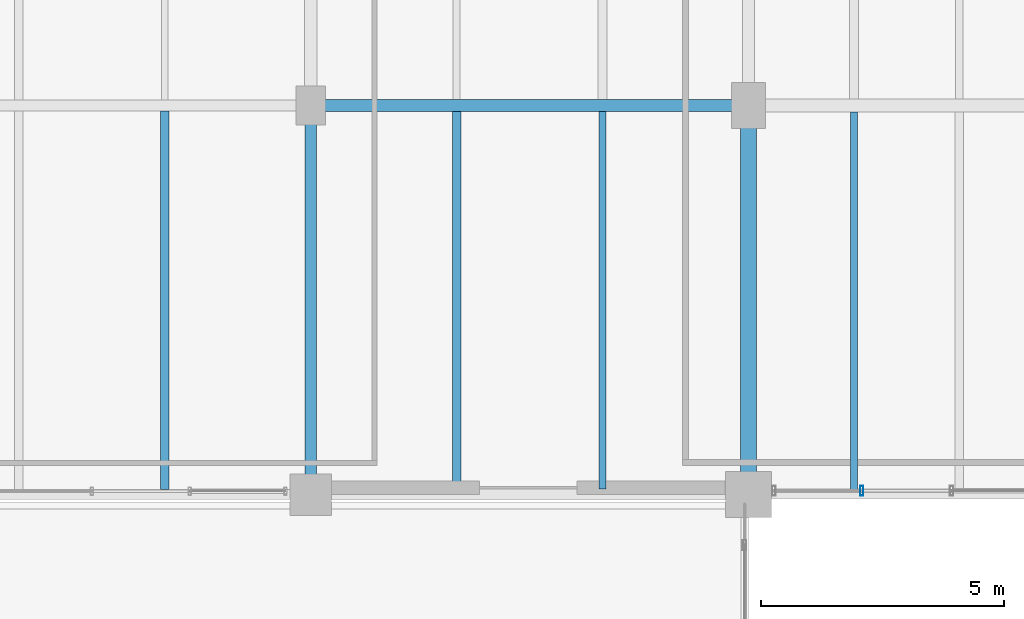
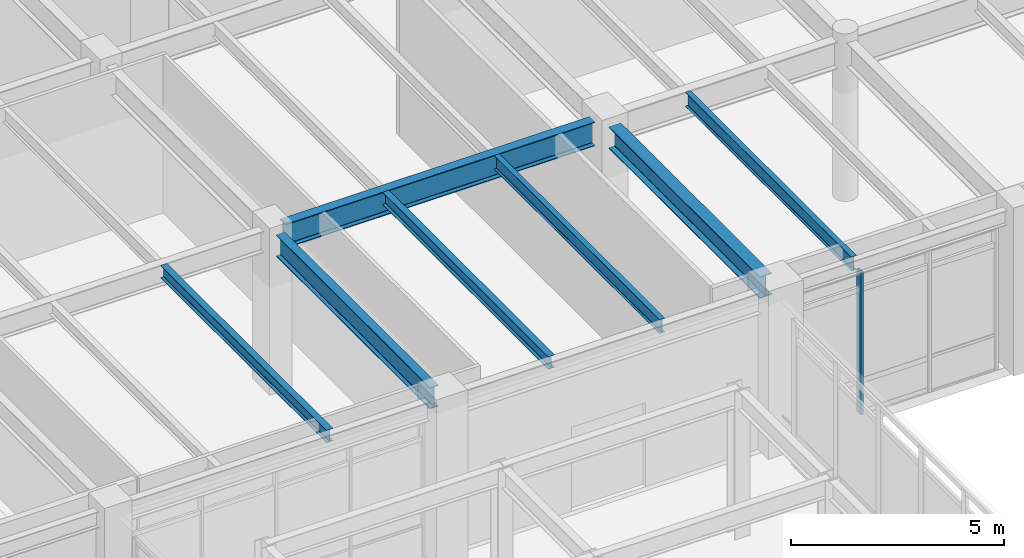
# One storey, part 91 of 200: 7 beams, 1 member, 1 element without a shape of its own.
"""IFC4 building model written with IfcOpenShell, lengths in metres."""

from ifc_helpers import new_model, si_unit, direction, frame, origin, origin_2d, place, context, subcontext, project, spatial, hollow_rectangle, i_section, extrude, material, material_profile, profile_set, type_object, element, aggregate, save


model = new_model("IFC4")

# Units and contexts
model_context = context("Model", 3, precision=1e-05, world=origin(), true_north=direction((0.0, 1.0)))
body_context = subcontext(model_context, "Body", "Model", "MODEL_VIEW")
ifc_project = project(units=[si_unit("LENGTHUNIT", "METRE"), si_unit("AREAUNIT", "SQUARE_METRE"), si_unit("VOLUMEUNIT", "CUBIC_METRE"), si_unit("PLANEANGLEUNIT", "RADIAN"), si_unit("MASSUNIT", "GRAM", prefix="KILO"), si_unit("THERMODYNAMICTEMPERATUREUNIT", "KELVIN"), si_unit("POWERUNIT", "WATT")], contexts=[model_context])

# Site, building, storey
site_placement = place(None, origin())
site = spatial("IfcSite", under=ifc_project, at=site_placement, CompositionType="ELEMENT")
building_placement = place(site_placement, origin())
building = spatial("IfcBuilding", under=site, at=building_placement, Name="Tepalcoro Natatorium and Aquatics Centre", CompositionType="ELEMENT")
storey_placement = place(building_placement, frame((0.0, 0.0, 5.39990234375)))
storey = spatial("IfcBuildingStorey", under=building, at=storey_placement, Name="L01", CompositionType="ELEMENT", Elevation=5.39990234375)

# Beams
ifc_material_1 = material(Name="Steel ASTM A992 Grade 50 (Fy 345 MPa)", Category="steel")
ifc_material_profile_1 = material_profile(ifc_material_1, i_section(OverallWidth=0.324951171875, OverallDepth=0.616943359375, WebThickness=0.013916015625, FlangeThickness=0.02197265625, FilletRadius=0.013916015625, at=origin_2d()), Name="W24X117")
ifc_profile_set_1 = profile_set([ifc_material_profile_1], Name="Steel ASTM A992 Grade 50 (Fy 345 MPa)")
beam_type_1 = type_object("IfcBeamType", Name="BM_W24x117", PredefinedType="BEAM", material=ifc_profile_set_1)
beam_1_placement = place(storey_placement, frame((125.0, 86.4599609375, 4.236572265625), z_axis=(0.0, 1.0, 0.0), x_axis=(-1.0, 0.0, 0.0)))
element("IfcBeam", 1, at=beam_1_placement, inside=storey, type_object=beam_type_1, Name="V5 L01 Grid Girder Y", PredefinedType="BEAM", context=body_context, shape_type="SweptSolid", body=[
    extrude(i_section(OverallWidth=0.324951171875, OverallDepth=0.616943359375, WebThickness=0.013916015625, FlangeThickness=0.02197265625, FilletRadius=0.013916015625, at=origin_2d()), origin(), (0.0, 0.0, 1.0), 7.080078125),
])
ifc_material_profile_2 = material_profile(ifc_material_1, i_section(OverallWidth=0.22998046875, OverallDepth=0.616943359375, WebThickness=0.012939453125, FlangeThickness=0.02197265625, FilletRadius=0.013916015625, at=origin_2d()), Name="W24X94")
ifc_profile_set_2 = profile_set([ifc_material_profile_2], Name="Steel ASTM A992 Grade 50 (Fy 345 MPa)")
beam_type_2 = type_object("IfcBeamType", Name="BM_W24x94", PredefinedType="BEAM", material=ifc_profile_set_2)
beam_2_placement = place(storey_placement, frame((116.0, 86.409912109375, 4.236572265625), z_axis=(0.0, 1.0, 0.0), x_axis=(-1.0, 0.0, 0.0)))
element("IfcBeam", 2, at=beam_2_placement, inside=storey, type_object=beam_type_2, Name="V5 L01 Grid Girder Y", PredefinedType="BEAM", context=body_context, shape_type="SweptSolid", body=[
    extrude(i_section(OverallWidth=0.22998046875, OverallDepth=0.616943359375, WebThickness=0.012939453125, FlangeThickness=0.02197265625, FilletRadius=0.013916015625, at=origin_2d()), origin(), (0.0, 0.0, 1.0), 7.205078125),
])
ifc_material_profile_3 = material_profile(ifc_material_1, i_section(OverallWidth=0.25390625, OverallDepth=0.68798828125, WebThickness=0.012939453125, FlangeThickness=0.02099609375, FilletRadius=0.013916015625, at=origin_2d()), Name="W27X102")
ifc_profile_set_3 = profile_set([ifc_material_profile_3], Name="Steel ASTM A992 Grade 50 (Fy 345 MPa)")
beam_type_3 = type_object("IfcBeamType", Name="BM_W27x102", PredefinedType="BEAM", material=ifc_profile_set_3)
beam_3_placement = place(storey_placement, frame((116.284912109375, 94.0, 4.201171875), z_axis=(1.0, 0.0, 0.0), x_axis=(0.0, 1.0, 0.0)))
element("IfcBeam", 3, at=beam_3_placement, inside=storey, type_object=beam_type_3, Name="V5 L01 Grid Girder X", PredefinedType="BEAM", context=body_context, shape_type="SweptSolid", body=[
    extrude(i_section(OverallWidth=0.25390625, OverallDepth=0.68798828125, WebThickness=0.012939453125, FlangeThickness=0.02099609375, FilletRadius=0.013916015625, at=origin_2d()), origin(), (0.0, 0.0, 1.0), 8.380126953125),
])

# Curtain wall, member
ifc_material_2 = material(Name="Bronze-Anodised Extruded Aluminium Alloy EN AW-6063 T6", Category="aluminium")
curtain_wall_type = type_object("IfcCurtainWallType", Name="CW_V5_LOWER", PredefinedType="USERDEFINED", material=ifc_material_2)
curtain_wall_placement = place(storey_placement, origin())
curtain_wall = element("IfcCurtainWall", 4, at=curtain_wall_placement, inside=storey, type_object=curtain_wall_type, Name="V5 L01 S Unitised Curtain Wall Bay 4", ObjectType="UNITISED STOREFRONT", PredefinedType="USERDEFINED")
ifc_material_profile_4 = material_profile(ifc_material_2, hollow_rectangle(XDim=0.070068359375, YDim=0.199951171875, WallThickness=0.0048828125, at=origin_2d()), Name="AL70X200X5")
ifc_profile_set_4 = profile_set([ifc_material_profile_4], Name="Bronze-Anodised Extruded Aluminium Alloy EN AW-6063 T6")
member_type = type_object("IfcMemberType", Name="CW_MUL_70x200", PredefinedType="MULLION", material=ifc_profile_set_4)
member_placement = place(storey_placement, frame((127.32666015625, 86.080078125, 0.02001953125), z_axis=(0.0, 0.0, 1.0), x_axis=(1.0, 0.0, 0.0)))
member = element("IfcMember", 5, at=member_placement, type_object=member_type, Name="CW_V5_LOWER Curtain Wall Mullion", PredefinedType="MULLION", context=body_context, shape_type="SweptSolid", body=[
    extrude(hollow_rectangle(XDim=0.070068359375, YDim=0.199951171875, WallThickness=0.0048828125, at=origin_2d()), origin(), (0.0, 0.0, 1.0), 4.0771484375),
])
aggregate(curtain_wall, [member])

# Beams
ifc_material_profile_5 = material_profile(ifc_material_1, i_section(OverallWidth=0.172119140625, OverallDepth=0.35791015625, WebThickness=0.008056640625, FlangeThickness=0.012939453125, FilletRadius=0.013916015625, at=origin_2d()), Name="W14X38")
ifc_profile_set_5 = profile_set([ifc_material_profile_5], Name="Steel ASTM A992 Grade 50 (Fy 345 MPa)")
beam_type_4 = type_object("IfcBeamType", Name="JS_W14x38", PredefinedType="JOIST", material=ifc_profile_set_5)
beam_4_placement = place(storey_placement, frame((113.0, 86.10498046875, 4.3662109375), z_axis=(0.0, 1.0, 0.0), x_axis=(-1.0, 0.0, 0.0)))
element("IfcBeam", 6, at=beam_4_placement, inside=storey, type_object=beam_type_4, Name="V5 L01 Floor Joist", PredefinedType="JOIST", context=body_context, shape_type="SweptSolid", body=[
    extrude(i_section(OverallWidth=0.172119140625, OverallDepth=0.35791015625, WebThickness=0.008056640625, FlangeThickness=0.012939453125, FilletRadius=0.013916015625, at=origin_2d()), origin(), (0.0, 0.0, 1.0), 7.781005859375),
])
beam_5_placement = place(storey_placement, frame((119.0, 86.114501953125, 4.3662109375), z_axis=(0.0, 1.0, 0.0), x_axis=(-1.0, 0.0, 0.0)))
element("IfcBeam", 7, at=beam_5_placement, inside=storey, type_object=beam_type_4, Name="V5 L01 Floor Joist", PredefinedType="JOIST", context=body_context, shape_type="SweptSolid", body=[
    extrude(i_section(OverallWidth=0.172119140625, OverallDepth=0.35791015625, WebThickness=0.008056640625, FlangeThickness=0.012939453125, FilletRadius=0.013916015625, at=origin_2d()), origin(), (0.0, 0.0, 1.0), 7.758544921875),
])
ifc_material_profile_6 = material_profile(ifc_material_1, i_section(OverallWidth=0.139892578125, OverallDepth=0.404052734375, WebThickness=0.007080078125, FlangeThickness=0.010986328125, FilletRadius=0.013916015625, at=origin_2d()), Name="W16X31")
ifc_profile_set_6 = profile_set([ifc_material_profile_6], Name="Steel ASTM A992 Grade 50 (Fy 345 MPa)")
beam_type_5 = type_object("IfcBeamType", Name="JS_W16x31", PredefinedType="JOIST", material=ifc_profile_set_6)
beam_6_placement = place(storey_placement, frame((122.0, 86.114501953125, 4.343017578125), z_axis=(0.0, 1.0, 0.0), x_axis=(-1.0, 0.0, 0.0)))
element("IfcBeam", 8, at=beam_6_placement, inside=storey, type_object=beam_type_5, Name="V5 L01 Floor Joist", PredefinedType="JOIST", context=body_context, shape_type="SweptSolid", body=[
    extrude(i_section(OverallWidth=0.139892578125, OverallDepth=0.404052734375, WebThickness=0.007080078125, FlangeThickness=0.010986328125, FilletRadius=0.013916015625, at=origin_2d()), origin(), (0.0, 0.0, 1.0), 7.758544921875),
])
beam_7_placement = place(storey_placement, frame((127.166748046875, 86.090087890625, 4.343017578125), z_axis=(0.0, 1.0, 0.0), x_axis=(-1.0, 0.0, 0.0)))
element("IfcBeam", 9, at=beam_7_placement, inside=storey, type_object=beam_type_5, Name="V5 L01 Floor Joist", PredefinedType="JOIST", context=body_context, shape_type="SweptSolid", body=[
    extrude(i_section(OverallWidth=0.139892578125, OverallDepth=0.404052734375, WebThickness=0.007080078125, FlangeThickness=0.010986328125, FilletRadius=0.013916015625, at=origin_2d()), origin(), (0.0, 0.0, 1.0), 7.7763671875),
])

save(model, "model.ifc")
